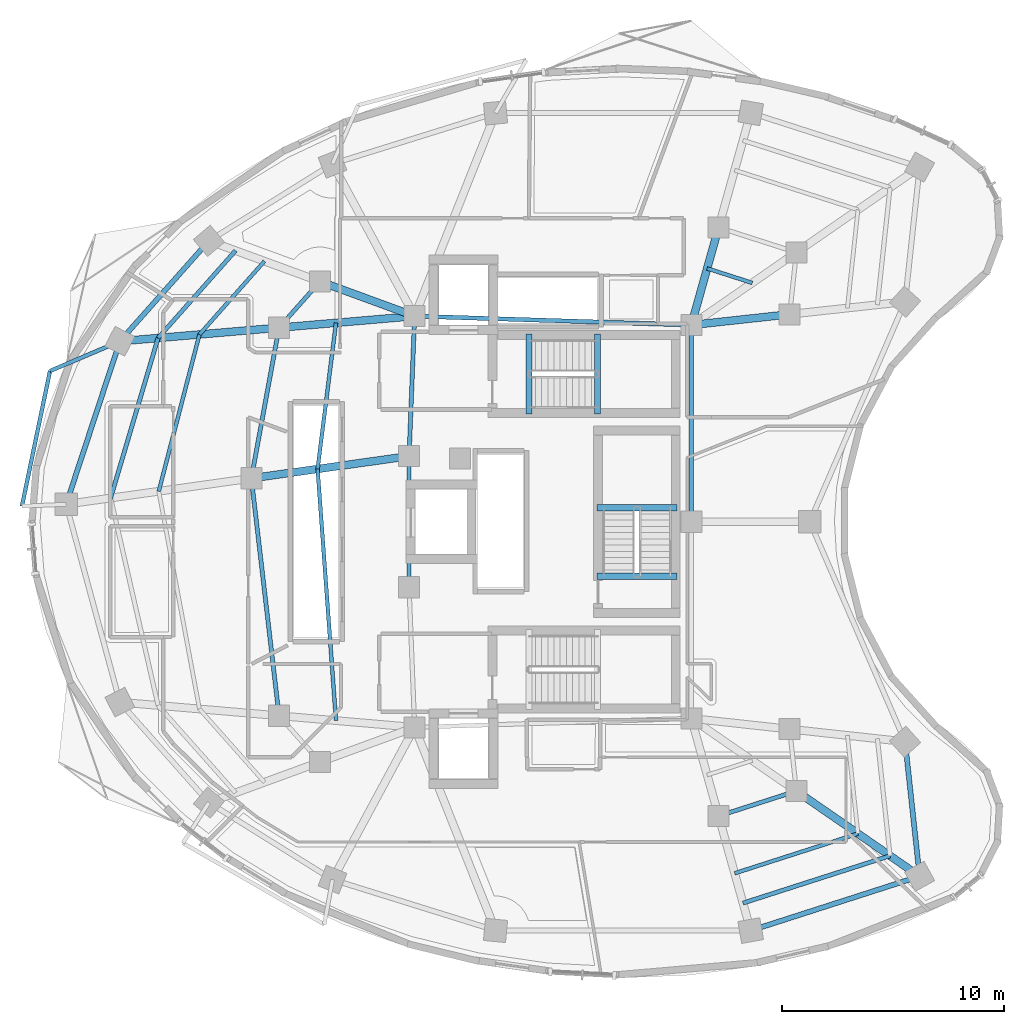
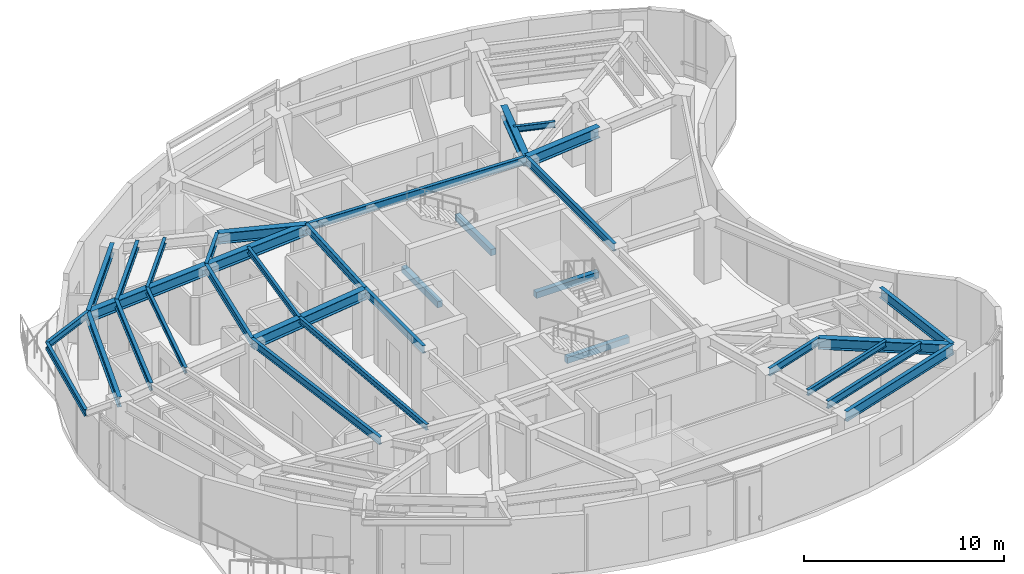
# One storey, part 3 of 13: 34 beams.
"""IFC4 building model written with IfcOpenShell, lengths in metres."""

from ifc_helpers import new_model, si_unit, direction, frame, origin, origin_2d, place, context, subcontext, project, spatial, rectangle, i_section, extrude, material, material_profile, profile_set, type_object, element, save


model = new_model("IFC4")

# Units and contexts
model_context = context("Model", 3, precision=1e-05, world=origin(), true_north=direction((0.0, 1.0)))
body_context = subcontext(model_context, "Body", "Model", "MODEL_VIEW")
ifc_project = project(units=[si_unit("LENGTHUNIT", "METRE"), si_unit("AREAUNIT", "SQUARE_METRE"), si_unit("VOLUMEUNIT", "CUBIC_METRE"), si_unit("PLANEANGLEUNIT", "RADIAN"), si_unit("MASSUNIT", "GRAM", prefix="KILO")], contexts=[model_context])

# Site, building, storey
site_placement = place(None, origin())
site = spatial("IfcSite", under=ifc_project, at=site_placement, CompositionType="ELEMENT")
building_placement = place(site_placement, origin())
building = spatial("IfcBuilding", under=site, at=building_placement, Name="Korentha Bioscience Tower", CompositionType="ELEMENT")
storey_placement = place(building_placement, frame((0.0, 0.0, 183.60009765625)))
storey = spatial("IfcBuildingStorey", under=building, at=storey_placement, Name="L42", CompositionType="ELEMENT", Elevation=183.60009765625)

# Beams
ifc_material_1 = material(Name="Concrete C50", Category="concrete")
ifc_material_profile_1 = material_profile(ifc_material_1, rectangle(XDim=0.280029296875, YDim=0.3798828125, at=origin_2d()), Name="Concrete C50")
ifc_profile_set_1 = profile_set([ifc_material_profile_1], Name="Concrete C50 (ST-HB380)")
beam_type_1 = type_object("IfcBeamType", Name="Concrete Stair Header Beam RC 280x380", PredefinedType="BEAM", material=ifc_profile_set_1)
for number, where, z_axis, x_axis, name in (
    (1, (30.25, 31.85009765625, -0.190185546875), (0.0, 1.0, 0.0), (-1.0, 0.0, 0.0), "L42 ST-1 Concrete Stair Header Beam"),
    (2, (33.330078125, 31.85009765625, 1.909912109375), (0.0, 1.0, 0.0), (-1.0, 0.0, 0.0), "L42 ST-1 Half-Landing Header Beam 1"),
    (3, (36.89990234375, 24.550048828125, -0.190185546875), (-1.0, 0.0, 0.0), (0.0, -1.0, 0.0), "L42 ST-3 Concrete Stair Header Beam"),
    (4, (36.89990234375, 27.6298828125, 1.909912109375), (-1.0, 0.0, 0.0), (0.0, -1.0, 0.0), "L42 ST-3 Half-Landing Header Beam 1"),
):
    element("IfcBeam", number, at=place(storey_placement, frame(where, z_axis=z_axis, x_axis=x_axis)), inside=storey, type_object=beam_type_1, Name=name, PredefinedType="BEAM", context=body_context, shape_type="SweptSolid", body=[
        extrude(rectangle(XDim=0.280029296875, YDim=0.3798828125, at=origin_2d()), origin(), (0.0, 0.0, 1.0), 3.599853515625),
    ])
ifc_material_2 = material(Name="Steel S355", Category="steel")
ifc_material_profile_2 = material_profile(ifc_material_2, i_section(OverallWidth=0.18994140625, OverallDepth=0.45703125, WebThickness=0.009033203125, FlangeThickness=0.014404296875, at=origin_2d()), Name="Steel S355")
ifc_profile_set_2 = profile_set([ifc_material_profile_2], Name="Steel S355 (MB-460)")
beam_type_2 = type_object("IfcBeamType", Name="Mid-Ring Tie Girder W460x74", PredefinedType="BEAM", material=ifc_profile_set_2)
beam_1_placement = place(storey_placement, frame((20.84228515625, 37.807861328125, 3.67138671875), z_axis=(-0.663512238321, -0.748165429299, 0.0), x_axis=(0.748165429299, -0.663512238321, 0.0)))
element("IfcBeam", 5, at=beam_1_placement, inside=storey, type_object=beam_type_2, Name="L42 Mid-Ring Tie Girder 05", PredefinedType="BEAM", context=body_context, shape_type="SweptSolid", body=[
    extrude(i_section(OverallWidth=0.18994140625, OverallDepth=0.45703125, WebThickness=0.009033203125, FlangeThickness=0.014404296875, at=origin_2d()), origin(), (0.0, 0.0, 1.0), 2.77734375),
])
beam_2_placement = place(storey_placement, frame((18.99951171875, 35.72998046875, 3.67138671875), z_axis=(-0.180880998363, -0.98350498953, 0.0), x_axis=(0.98350498953, -0.180880998363, 0.0)))
element("IfcBeam", 6, at=beam_2_placement, inside=storey, type_object=beam_type_2, Name="L42 Mid-Ring Tie Girder 06", PredefinedType="BEAM", context=body_context, shape_type="SweptSolid", body=[
    extrude(i_section(OverallWidth=0.18994140625, OverallDepth=0.45703125, WebThickness=0.009033203125, FlangeThickness=0.014404296875, at=origin_2d()), origin(), (0.0, 0.0, 1.0), 6.888916015625),
])
beam_3_placement = place(storey_placement, frame((17.75341796875, 28.95458984375, 3.67138671875), z_axis=(0.115840395246, -0.993267840428, 0.0), x_axis=(0.993267840428, 0.115840395246, 0.0)))
element("IfcBeam", 7, at=beam_3_placement, inside=storey, type_object=beam_type_2, Name="L42 Mid-Ring Tie Girder 07", PredefinedType="BEAM", context=body_context, shape_type="SweptSolid", body=[
    extrude(i_section(OverallWidth=0.18994140625, OverallDepth=0.45703125, WebThickness=0.009033203125, FlangeThickness=0.014404296875, at=origin_2d()), origin(), (0.0, 0.0, 1.0), 10.757080078125),
])
beam_4_placement = place(storey_placement, frame((38.77880859375, 13.7587890625, 3.67138671875), z_axis=(0.952000195343, 0.306097415976, 0.0), x_axis=(-0.306097415976, 0.952000195343, 0.0)))
element("IfcBeam", 8, at=beam_4_placement, inside=storey, type_object=beam_type_2, Name="L42 Mid-Ring Tie Girder 12", PredefinedType="BEAM", context=body_context, shape_type="SweptSolid", body=[
    extrude(i_section(OverallWidth=0.18994140625, OverallDepth=0.45703125, WebThickness=0.009033203125, FlangeThickness=0.014404296875, at=origin_2d()), origin(), (0.0, 0.0, 1.0), 3.672119140625),
])
beam_5_placement = place(storey_placement, frame((37.550048828125, 35.85009765625, 3.67138671875), z_axis=(-0.999484526071, 0.032104238723, 0.0), x_axis=(-0.032104238723, -0.999484526071, 0.0)))
element("IfcBeam", 9, at=beam_5_placement, inside=storey, type_object=beam_type_2, Name="L42 Core Ring Tie Girder 01", PredefinedType="BEAM", context=body_context, shape_type="SweptSolid", body=[
    extrude(i_section(OverallWidth=0.18994140625, OverallDepth=0.45703125, WebThickness=0.009033203125, FlangeThickness=0.014404296875, at=origin_2d()), origin(), (0.0, 0.0, 1.0), 12.456298828125),
])
beam_6_placement = place(storey_placement, frame((25.10009765625, 36.25, 3.67138671875), z_axis=(-0.039651025576, -0.999213588864, 0.0), x_axis=(0.999213588864, -0.039651025576, 0.0)))
element("IfcBeam", 10, at=beam_6_placement, inside=storey, type_object=beam_type_2, Name="L42 Core Ring Tie Girder 02", PredefinedType="BEAM", context=body_context, shape_type="SweptSolid", body=[
    extrude(i_section(OverallWidth=0.18994140625, OverallDepth=0.45703125, WebThickness=0.009033203125, FlangeThickness=0.014404296875, at=origin_2d()), origin(), (0.0, 0.0, 1.0), 6.304931640625),
])
beam_7_placement = place(storey_placement, frame((24.85009765625, 29.949951171875, 3.67138671875), z_axis=(0.0, -1.0, 0.0), x_axis=(1.0, 0.0, 0.0)))
element("IfcBeam", 11, at=beam_7_placement, inside=storey, type_object=beam_type_2, Name="L42 Core Ring Tie Girder 03", PredefinedType="BEAM", context=body_context, shape_type="SweptSolid", body=[
    extrude(i_section(OverallWidth=0.18994140625, OverallDepth=0.45703125, WebThickness=0.009033203125, FlangeThickness=0.014404296875, at=origin_2d()), origin(), (0.0, 0.0, 1.0), 5.89990234375),
])
beam_8_placement = place(storey_placement, frame((37.550048828125, 27.0, 3.67138671875), z_axis=(0.0, 1.0, 0.0), x_axis=(-1.0, 0.0, 0.0)))
element("IfcBeam", 12, at=beam_8_placement, inside=storey, type_object=beam_type_2, Name="L42 Core Ring Tie Girder 07", PredefinedType="BEAM", context=body_context, shape_type="SweptSolid", body=[
    extrude(i_section(OverallWidth=0.18994140625, OverallDepth=0.45703125, WebThickness=0.009033203125, FlangeThickness=0.014404296875, at=origin_2d()), origin(), (0.0, 0.0, 1.0), 8.85009765625),
])
ifc_material_profile_3 = material_profile(ifc_material_2, i_section(OverallWidth=0.22802734375, OverallDepth=0.60791015625, WebThickness=0.01123046875, FlangeThickness=0.017333984375, at=origin_2d()), Name="Steel S355")
ifc_profile_set_3 = profile_set([ifc_material_profile_3], Name="Steel S355 (SB-610)")
beam_type_3 = type_object("IfcBeamType", Name="Perimeter Ring Spandrel Girder W610x113", PredefinedType="SPANDREL", material=ifc_profile_set_3)
beam_9_placement = place(storey_placement, frame((15.843994140625, 39.63671875, 3.595947265625), z_axis=(-0.663502544942, -0.748174025782, 0.0), x_axis=(0.748174025782, -0.663502544942, 0.0)))
element("IfcBeam", 13, at=beam_9_placement, inside=storey, type_object=beam_type_3, Name="L42 Perimeter Spandrel Girder 05", PredefinedType="SPANDREL", context=body_context, shape_type="SweptSolid", body=[
    extrude(i_section(OverallWidth=0.22802734375, OverallDepth=0.60791015625, WebThickness=0.01123046875, FlangeThickness=0.017333984375, at=origin_2d()), origin(), (0.0, 0.0, 1.0), 6.037841796875),
])
beam_10_placement = place(storey_placement, frame((11.837890625, 35.119384765625, 3.595947265625), z_axis=(-0.312820215824, -0.949812356506, 0.0), x_axis=(0.949812356506, -0.312820215824, 0.0)))
element("IfcBeam", 14, at=beam_10_placement, inside=storey, type_object=beam_type_3, Name="L42 Perimeter Spandrel Girder 06", PredefinedType="SPANDREL", context=body_context, shape_type="SweptSolid", body=[
    extrude(i_section(OverallWidth=0.22802734375, OverallDepth=0.60791015625, WebThickness=0.01123046875, FlangeThickness=0.017333984375, at=origin_2d()), origin(), (0.0, 0.0, 1.0), 7.720947265625),
])
beam_11_placement = place(storey_placement, frame((40.22119140625, 8.60400390625, 3.595947265625), z_axis=(0.952008512555, 0.306071547228, 0.0), x_axis=(-0.306071547228, 0.952008512555, 0.0)))
element("IfcBeam", 15, at=beam_11_placement, inside=storey, type_object=beam_type_3, Name="L42 Perimeter Spandrel Girder 12", PredefinedType="SPANDREL", context=body_context, shape_type="SweptSolid", body=[
    extrude(i_section(OverallWidth=0.22802734375, OverallDepth=0.60791015625, WebThickness=0.01123046875, FlangeThickness=0.017333984375, at=origin_2d()), origin(), (0.0, 0.0, 1.0), 7.98291015625),
])
beam_12_placement = place(storey_placement, frame((47.821044921875, 11.04736328125, 3.595947265625), z_axis=(-0.10732012232, 0.994224517574, 0.0), x_axis=(-0.994224517574, -0.10732012232, 0.0)))
element("IfcBeam", 16, at=beam_12_placement, inside=storey, type_object=beam_type_3, Name="L42 Perimeter Spandrel Girder 13", PredefinedType="SPANDREL", context=body_context, shape_type="SweptSolid", body=[
    extrude(i_section(OverallWidth=0.22802734375, OverallDepth=0.60791015625, WebThickness=0.01123046875, FlangeThickness=0.017333984375, at=origin_2d()), origin(), (0.0, 0.0, 1.0), 6.08984375),
])
ifc_material_profile_4 = material_profile(ifc_material_2, i_section(OverallWidth=0.18994140625, OverallDepth=0.45703125, WebThickness=0.009033203125, FlangeThickness=0.014404296875, at=origin_2d()), Name="Steel S355")
ifc_profile_set_4 = profile_set([ifc_material_profile_4], Name="Steel S355 (RB-460)")
beam_type_4 = type_object("IfcBeamType", Name="Radial Laboratory Beam W460x74", PredefinedType="BEAM", material=ifc_profile_set_4)
beam_13_placement = place(storey_placement, frame((17.043701171875, 39.197998046875, 3.67138671875), z_axis=(-0.663495511182, -0.748180263467, 0.0), x_axis=(0.748180263467, -0.663495511182, 0.0)))
element("IfcBeam", 17, at=beam_13_placement, inside=storey, type_object=beam_type_4, Name="L42 Secondary Floor Beam JSTO-05", PredefinedType="BEAM", context=body_context, shape_type="SweptSolid", body=[
    extrude(i_section(OverallWidth=0.18994140625, OverallDepth=0.45703125, WebThickness=0.009033203125, FlangeThickness=0.014404296875, at=origin_2d()), origin(), (0.0, 0.0, 1.0), 5.255615234375),
])
beam_14_placement = place(storey_placement, frame((13.556640625, 35.265869140625, 3.67138671875), z_axis=(-0.284283148615, -0.958740367051, 0.0), x_axis=(0.958740367051, -0.284283148615, 0.0)))
element("IfcBeam", 18, at=beam_14_placement, inside=storey, type_object=beam_type_4, Name="L42 Secondary Floor Beam JSTO-06", PredefinedType="BEAM", context=body_context, shape_type="SweptSolid", body=[
    extrude(i_section(OverallWidth=0.18994140625, OverallDepth=0.45703125, WebThickness=0.009033203125, FlangeThickness=0.014404296875, at=origin_2d()), origin(), (0.0, 0.0, 1.0), 7.50927734375),
])
beam_15_placement = place(storey_placement, frame((39.875, 9.84130859375, 3.67138671875), z_axis=(0.952009183817, 0.306069459318, 0.0), x_axis=(-0.306069459318, 0.952009183817, 0.0)))
element("IfcBeam", 19, at=beam_15_placement, inside=storey, type_object=beam_type_4, Name="L42 Secondary Floor Beam JSTO-12", PredefinedType="BEAM", context=body_context, shape_type="SweptSolid", body=[
    extrude(i_section(OverallWidth=0.18994140625, OverallDepth=0.45703125, WebThickness=0.009033203125, FlangeThickness=0.014404296875, at=origin_2d()), origin(), (0.0, 0.0, 1.0), 6.948486328125),
])
ifc_material_profile_5 = material_profile(ifc_material_2, i_section(OverallWidth=0.35009765625, OverallDepth=0.64990234375, WebThickness=0.01611328125, FlangeThickness=0.02490234375, at=origin_2d()), Name="Steel S355")
ifc_profile_set_5 = profile_set([ifc_material_profile_5], Name="Steel S355 (RB-650)")
beam_type_5 = type_object("IfcBeamType", Name="Radial Laboratory Girder CVS 650x208", PredefinedType="BEAM", material=ifc_profile_set_5)
beam_16_placement = place(storey_placement, frame((37.550048828125, 35.85009765625, 3.574951171875), z_axis=(0.269477001654, 0.963006825303, 0.0), x_axis=(-0.963006825303, 0.269477001654, 0.0)))
element("IfcBeam", 20, at=beam_16_placement, inside=storey, type_object=beam_type_5, Name="L42 Inner Radial Girder 02", PredefinedType="BEAM", context=body_context, shape_type="SweptSolid", body=[
    extrude(i_section(OverallWidth=0.35009765625, OverallDepth=0.64990234375, WebThickness=0.01611328125, FlangeThickness=0.02490234375, at=origin_2d()), origin(), (0.0, 0.0, 1.0), 4.559814453125),
])
beam_17_placement = place(storey_placement, frame((25.10009765625, 36.25, 3.574951171875), z_axis=(-0.939113952431, 0.343605856105, 0.0), x_axis=(-0.343605856105, -0.939113952431, 0.0)))
element("IfcBeam", 21, at=beam_17_placement, inside=storey, type_object=beam_type_5, Name="L42 Inner Radial Girder 05", PredefinedType="BEAM", context=body_context, shape_type="SweptSolid", body=[
    extrude(i_section(OverallWidth=0.35009765625, OverallDepth=0.64990234375, WebThickness=0.01611328125, FlangeThickness=0.02490234375, at=origin_2d()), origin(), (0.0, 0.0, 1.0), 4.533935546875),
])
beam_18_placement = place(storey_placement, frame((25.10009765625, 36.25, 3.574951171875), z_axis=(-0.996386672138, -0.084932912264, 0.0), x_axis=(0.084932912264, -0.996386672138, 0.0)))
element("IfcBeam", 22, at=beam_18_placement, inside=storey, type_object=beam_type_5, Name="L42 Inner Radial Girder 06", PredefinedType="BEAM", context=body_context, shape_type="SweptSolid", body=[
    extrude(i_section(OverallWidth=0.35009765625, OverallDepth=0.64990234375, WebThickness=0.01611328125, FlangeThickness=0.02490234375, at=origin_2d()), origin(), (0.0, 0.0, 1.0), 6.122802734375),
])
beam_19_placement = place(storey_placement, frame((18.99951171875, 35.72998046875, 3.574951171875), z_axis=(-0.996385111181, -0.084951222577, 0.0), x_axis=(0.084951222577, -0.996385111181, 0.0)))
element("IfcBeam", 23, at=beam_19_placement, inside=storey, type_object=beam_type_5, Name="L42 Outer Radial Girder 06", PredefinedType="BEAM", context=body_context, shape_type="SweptSolid", body=[
    extrude(i_section(OverallWidth=0.35009765625, OverallDepth=0.64990234375, WebThickness=0.01611328125, FlangeThickness=0.02490234375, at=origin_2d()), origin(), (0.0, 0.0, 1.0), 7.1875),
])
beam_20_placement = place(storey_placement, frame((24.85009765625, 29.949951171875, 3.574951171875), z_axis=(-0.990306724295, -0.138897774699, 0.0), x_axis=(0.138897774699, -0.990306724295, 0.0)))
element("IfcBeam", 24, at=beam_20_placement, inside=storey, type_object=beam_type_5, Name="L42 Inner Radial Girder 07", PredefinedType="BEAM", context=body_context, shape_type="SweptSolid", body=[
    extrude(i_section(OverallWidth=0.35009765625, OverallDepth=0.64990234375, WebThickness=0.01611328125, FlangeThickness=0.02490234375, at=origin_2d()), origin(), (0.0, 0.0, 1.0), 7.166259765625),
])
beam_21_placement = place(storey_placement, frame((42.274658203125, 14.8828125, 3.574951171875), z_axis=(0.822494455845, -0.568773127094, 0.0), x_axis=(0.568773127094, 0.822494455845, 0.0)))
element("IfcBeam", 25, at=beam_21_placement, inside=storey, type_object=beam_type_5, Name="L42 Outer Radial Girder 13", PredefinedType="BEAM", context=body_context, shape_type="SweptSolid", body=[
    extrude(i_section(OverallWidth=0.35009765625, OverallDepth=0.64990234375, WebThickness=0.01611328125, FlangeThickness=0.02490234375, at=origin_2d()), origin(), (0.0, 0.0, 1.0), 6.743408203125),
])
beam_22_placement = place(storey_placement, frame((37.550048828125, 35.85009765625, 3.574951171875), z_axis=(0.994118939953, 0.108293735857, 0.0), x_axis=(-0.108293735857, 0.994118939953, 0.0)))
element("IfcBeam", 26, at=beam_22_placement, inside=storey, type_object=beam_type_5, Name="L42 Inner Radial Girder 16", PredefinedType="BEAM", context=body_context, shape_type="SweptSolid", body=[
    extrude(i_section(OverallWidth=0.35009765625, OverallDepth=0.64990234375, WebThickness=0.01611328125, FlangeThickness=0.02490234375, at=origin_2d()), origin(), (0.0, 0.0, 1.0), 4.4501953125),
])
ifc_material_profile_6 = material_profile(ifc_material_2, i_section(OverallWidth=0.1708984375, OverallDepth=0.35498046875, WebThickness=0.007080078125, FlangeThickness=0.01171875, at=origin_2d()), Name="Steel S355")
ifc_profile_set_6 = profile_set([ifc_material_profile_6], Name="Steel S355 (JB-360)")
beam_type_6 = type_object("IfcBeamType", Name="Secondary Laboratory Joist W360x51", PredefinedType="JOIST", material=ifc_profile_set_6)
beam_23_placement = place(storey_placement, frame((40.290283203125, 37.7451171875, 3.722412109375), z_axis=(-0.952010669267, 0.306064838885, 0.0), x_axis=(-0.306064838885, -0.952010669267, 0.0)))
element("IfcBeam", 27, at=beam_23_placement, inside=storey, type_object=beam_type_6, Name="L42 Inner Bay Joist 01", PredefinedType="JOIST", context=body_context, shape_type="SweptSolid", body=[
    extrude(i_section(OverallWidth=0.1708984375, OverallDepth=0.35498046875, WebThickness=0.007080078125, FlangeThickness=0.01171875, at=origin_2d()), origin(), (0.0, 0.0, 1.0), 2.1298828125),
])
beam_24_placement = place(storey_placement, frame((18.343017578125, 38.722412109375, 3.722412109375), z_axis=(-0.663462598754, -0.748209449322, 0.0), x_axis=(0.748209449322, -0.663462598754, 0.0)))
element("IfcBeam", 28, at=beam_24_placement, inside=storey, type_object=beam_type_6, Name="L42 Secondary Floor Beam JST-05", PredefinedType="JOIST", context=body_context, shape_type="SweptSolid", body=[
    extrude(i_section(OverallWidth=0.1708984375, OverallDepth=0.35498046875, WebThickness=0.007080078125, FlangeThickness=0.01171875, at=origin_2d()), origin(), (0.0, 0.0, 1.0), 4.40771484375),
])
beam_25_placement = place(storey_placement, frame((15.418701171875, 35.424560546875, 3.722412109375), z_axis=(-0.251203958933, -0.967934177006, 0.0), x_axis=(0.967934177006, -0.251203958933, 0.0)))
element("IfcBeam", 29, at=beam_25_placement, inside=storey, type_object=beam_type_6, Name="L42 Secondary Floor Beam JST-06", PredefinedType="JOIST", context=body_context, shape_type="SweptSolid", body=[
    extrude(i_section(OverallWidth=0.1708984375, OverallDepth=0.35498046875, WebThickness=0.007080078125, FlangeThickness=0.01171875, at=origin_2d()), origin(), (0.0, 0.0, 1.0), 7.2880859375),
])
beam_26_placement = place(storey_placement, frame((21.561767578125, 35.9482421875, 3.722412109375), z_axis=(-0.124914239886, -0.992167542643, 0.0), x_axis=(0.992167542643, -0.124914239886, 0.0)))
element("IfcBeam", 30, at=beam_26_placement, inside=storey, type_object=beam_type_6, Name="L42 Inner Bay Joist 06", PredefinedType="JOIST", context=body_context, shape_type="SweptSolid", body=[
    extrude(i_section(OverallWidth=0.1708984375, OverallDepth=0.35498046875, WebThickness=0.007080078125, FlangeThickness=0.01171875, at=origin_2d()), origin(), (0.0, 0.0, 1.0), 6.627685546875),
])
beam_27_placement = place(storey_placement, frame((20.73388671875, 29.37255859375, 3.722412109375), z_axis=(0.072934416258, -0.997336738983, 0.0), x_axis=(0.997336738983, 0.072934416258, 0.0)))
element("IfcBeam", 31, at=beam_27_placement, inside=storey, type_object=beam_type_6, Name="L42 Inner Bay Joist 07", PredefinedType="JOIST", context=body_context, shape_type="SweptSolid", body=[
    extrude(i_section(OverallWidth=0.1708984375, OverallDepth=0.35498046875, WebThickness=0.007080078125, FlangeThickness=0.01171875, at=origin_2d()), origin(), (0.0, 0.0, 1.0), 11.35107421875),
])
beam_28_placement = place(storey_placement, frame((39.5, 11.181396484375, 3.722412109375), z_axis=(0.952005892166, 0.306079697596, 0.0), x_axis=(-0.306079697596, 0.952005892166, 0.0)))
element("IfcBeam", 32, at=beam_28_placement, inside=storey, type_object=beam_type_6, Name="L42 Secondary Floor Beam JST-12", PredefinedType="JOIST", context=body_context, shape_type="SweptSolid", body=[
    extrude(i_section(OverallWidth=0.1708984375, OverallDepth=0.35498046875, WebThickness=0.007080078125, FlangeThickness=0.01171875, at=origin_2d()), origin(), (0.0, 0.0, 1.0), 5.82763671875),
])
ifc_material_profile_7 = material_profile(ifc_material_2, i_section(OverallWidth=0.177978515625, OverallDepth=0.406982421875, WebThickness=0.0078125, FlangeThickness=0.0126953125, at=origin_2d()), Name="Steel S355")
ifc_profile_set_7 = profile_set([ifc_material_profile_7], Name="Steel S355 (CB-410)")
beam_type_7 = type_object("IfcBeamType", Name="Sun-Ledge Cantilever Beam W410x60", PredefinedType="BEAM", material=ifc_profile_set_7)
beam_29_placement = place(storey_placement, frame((11.837890625, 35.119384765625, 3.698486328125), z_axis=(-0.920106971174, -0.391667156648, 0.0), x_axis=(0.391667156648, -0.920106971174, 0.0)))
element("IfcBeam", 33, at=beam_29_placement, inside=storey, type_object=beam_type_7, Name="L42 Balcony Cantilever Bracket A-L43-02", PredefinedType="BEAM", context=body_context, shape_type="SweptSolid", body=[
    extrude(i_section(OverallWidth=0.177978515625, OverallDepth=0.406982421875, WebThickness=0.0078125, FlangeThickness=0.0126953125, at=origin_2d()), origin(), (0.0, 0.0, 1.0), 3.41650390625),
])
beam_30_placement = place(storey_placement, frame((8.6943359375, 33.78125, 3.698486328125), z_axis=(-0.203313854561, -0.979113617791, 0.0), x_axis=(0.979113617791, -0.203313854561, 0.0)))
element("IfcBeam", 34, at=beam_30_placement, inside=storey, type_object=beam_type_7, Name="L42 Balcony Edge Trimmer Beam L43-02", PredefinedType="BEAM", context=body_context, shape_type="SweptSolid", body=[
    extrude(i_section(OverallWidth=0.177978515625, OverallDepth=0.406982421875, WebThickness=0.0078125, FlangeThickness=0.0126953125, at=origin_2d()), origin(), (0.0, 0.0, 1.0), 6.211669921875),
])

save(model, "model.ifc")
